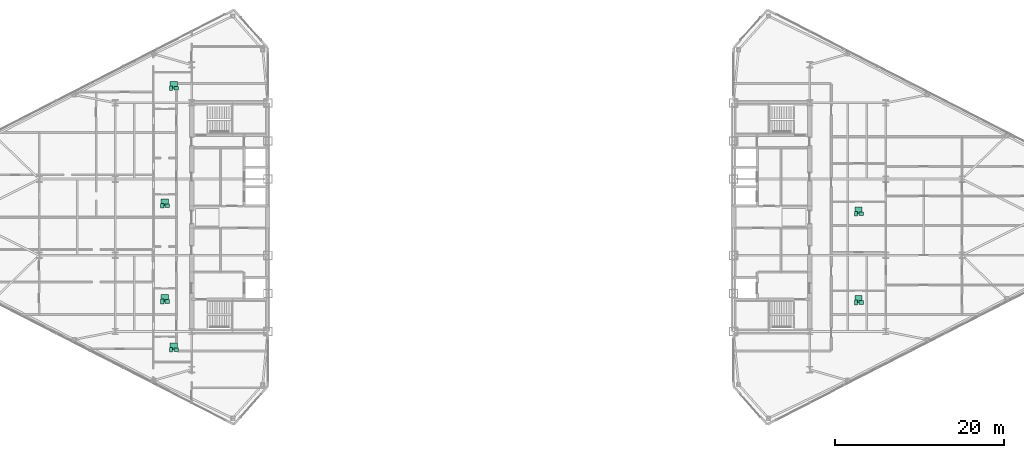
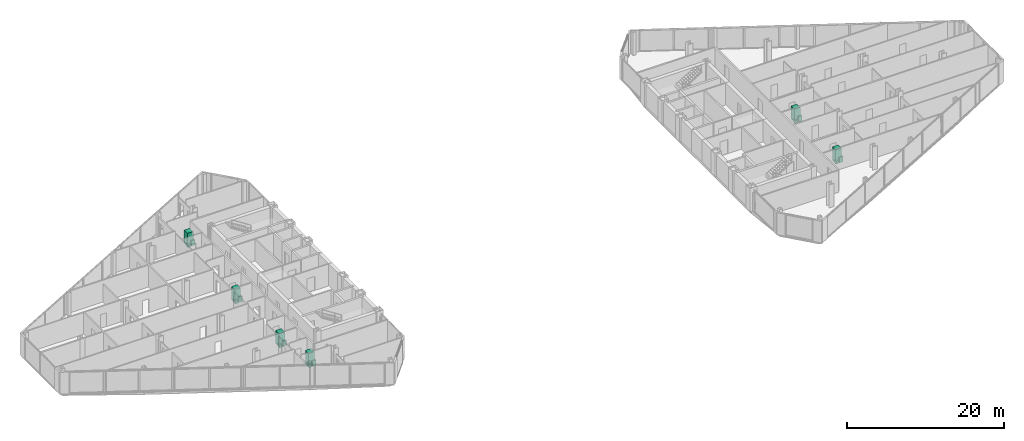
# One storey, part 23 of 23: 18 sanitary terminals.
"""IFC4 building model written with IfcOpenShell, lengths in metres."""

from ifc_helpers import new_model, si_unit, direction, frame, origin, origin_2d, place, context, subcontext, project, spatial, rectangle, extrude, source, transform, mapped, material, type_object, type_shapes, element, save


model = new_model("IFC4")

# Units and contexts
model_context = context("Model", 3, precision=1e-05, world=origin(), true_north=direction((0.0, 1.0)))
body_context = subcontext(model_context, "Body", "Model", "MODEL_VIEW")
ifc_project = project(units=[si_unit("LENGTHUNIT", "METRE"), si_unit("AREAUNIT", "SQUARE_METRE"), si_unit("VOLUMEUNIT", "CUBIC_METRE"), si_unit("PLANEANGLEUNIT", "RADIAN"), si_unit("MASSUNIT", "GRAM", prefix="KILO")], contexts=[model_context])

# Site, building, storey
site_placement = place(None, origin())
site = spatial("IfcSite", under=ifc_project, at=site_placement, CompositionType="ELEMENT")
building_placement = place(site_placement, origin())
building = spatial("IfcBuilding", under=site, at=building_placement, Name="Seokmaru Belvedere", CompositionType="ELEMENT")
storey_placement = place(building_placement, frame((0.0, 0.0, 144.0)))
storey = spatial("IfcBuildingStorey", under=building, at=storey_placement, Name="L38", CompositionType="ELEMENT", Elevation=144.0)

# Sanitary terminals
ifc_material_1 = material(Name="Vitreous China Sanitaryware")
sanitary_terminal_type_1 = type_object("IfcSanitaryTerminalType", Name="Wall-Hung Vitreous China WC Pan", PredefinedType="TOILETPAN", material=ifc_material_1)
shared_shape_1 = source(origin(), body_context, "Body", "SweptSolid", [
    extrude(rectangle(XDim=0.3798828125, YDim=0.56005859375, at=origin_2d()), origin(), (0.0, 0.0, 1.0), 0.419921875),
])
type_shapes(sanitary_terminal_type_1, [shared_shape_1])
for number, where, z_axis, x_axis, name in (
    (1, (-38.9169921875, -15.6669921875, 0.0), (0.0, 0.0, 1.0), (1.0, 0.0, 0.0), "L38 Vitreous China WC 0208"),
    (2, (-39.97509765625, -9.947998046875, 0.0), (0.0, 0.0, 1.0), (1.0, 0.0, 0.0), "L38 Vitreous China WC 0209"),
    (3, (-39.97509765625, 1.34912109375, 0.0), (0.0, 0.0, 1.0), (1.0, 0.0, 0.0), "L38 Vitreous China WC 0210"),
    (4, (-38.9169921875, 15.23193359375, 0.0), (0.0, 0.0, 1.0), (1.0, 0.0, 0.0), "L38 Vitreous China WC 0211"),
    (5, (41.97509765625, -10.083984375, 0.0), (0.0, 0.0, 1.0), (1.0, 0.0, 0.0), "L38 Vitreous China WC 0212"),
    (6, (41.97509765625, 0.416015625, 0.0), (0.0, 0.0, 1.0), (1.0, 0.0, 0.0), "L38 Vitreous China WC 0213"),
):
    element("IfcSanitaryTerminal", number, at=place(storey_placement, frame(where, z_axis=z_axis, x_axis=x_axis)), inside=storey, type_object=sanitary_terminal_type_1, Name=name, PredefinedType="TOILETPAN", context=body_context, shape_type="MappedRepresentation", body=[
        mapped(shared_shape_1, transform((0.0, 0.0, 0.0), scale=1.0)),
    ])
sanitary_terminal_type_2 = type_object("IfcSanitaryTerminalType", Name="Countertop Ceramic Washhand Basin", PredefinedType="WASHHANDBASIN", material=ifc_material_1)
shared_shape_2 = source(origin(), body_context, "Body", "SweptSolid", [
    extrude(rectangle(XDim=0.550048828125, YDim=0.449951171875, at=origin_2d()), origin(), (0.0, 0.0, 1.0), 0.820068359375),
])
type_shapes(sanitary_terminal_type_2, [shared_shape_2])
for number, where, z_axis, x_axis, name in (
    (7, (-38.31689453125, -15.6669921875, 0.0), (0.0, 0.0, 1.0), (1.0, 0.0, 0.0), "L38 Ceramic Washhand Basin 0208"),
    (8, (-39.375, -9.947998046875, 0.0), (0.0, 0.0, 1.0), (1.0, 0.0, 0.0), "L38 Ceramic Washhand Basin 0209"),
    (9, (-39.375, 1.34912109375, 0.0), (0.0, 0.0, 1.0), (1.0, 0.0, 0.0), "L38 Ceramic Washhand Basin 0210"),
    (10, (-38.31689453125, 15.23193359375, 0.0), (0.0, 0.0, 1.0), (1.0, 0.0, 0.0), "L38 Ceramic Washhand Basin 0211"),
    (11, (42.574951171875, -10.083984375, 0.0), (0.0, 0.0, 1.0), (1.0, 0.0, 0.0), "L38 Ceramic Washhand Basin 0212"),
    (12, (42.574951171875, 0.416015625, 0.0), (0.0, 0.0, 1.0), (1.0, 0.0, 0.0), "L38 Ceramic Washhand Basin 0213"),
):
    element("IfcSanitaryTerminal", number, at=place(storey_placement, frame(where, z_axis=z_axis, x_axis=x_axis)), inside=storey, type_object=sanitary_terminal_type_2, Name=name, PredefinedType="WASHHANDBASIN", context=body_context, shape_type="MappedRepresentation", body=[
        mapped(shared_shape_2, transform((0.0, 0.0, 0.0), scale=1.0)),
    ])
ifc_material_2 = material(Name="Stainless Steel 316", Category="steel")
sanitary_terminal_type_3 = type_object("IfcSanitaryTerminalType", Name="Walk-In Thermostatic Rain Shower Enclosure", PredefinedType="SHOWER", material=ifc_material_2)
shared_shape_3 = source(origin(), body_context, "Body", "SweptSolid", [
    extrude(rectangle(XDim=0.85009765625, YDim=0.85009765625, at=origin_2d()), origin(), (0.0, 0.0, 1.0), 2.050048828125),
])
type_shapes(sanitary_terminal_type_3, [shared_shape_3])
for number, where, z_axis, x_axis, name in (
    (13, (-38.616943359375, -15.287109375, 0.0), (0.0, 0.0, 1.0), (1.0, 0.0, 0.0), "L38 Walk-In Shower 0208"),
    (14, (-39.675048828125, -9.568115234375, 0.0), (0.0, 0.0, 1.0), (1.0, 0.0, 0.0), "L38 Walk-In Shower 0209"),
    (15, (-39.675048828125, 1.72900390625, 0.0), (0.0, 0.0, 1.0), (1.0, 0.0, 0.0), "L38 Walk-In Shower 0210"),
    (16, (-38.616943359375, 15.612060546875, 0.0), (0.0, 0.0, 1.0), (1.0, 0.0, 0.0), "L38 Walk-In Shower 0211"),
    (17, (42.27490234375, -9.7041015625, 0.0), (0.0, 0.0, 1.0), (1.0, 0.0, 0.0), "L38 Walk-In Shower 0212"),
    (18, (42.27490234375, 0.7958984375, 0.0), (0.0, 0.0, 1.0), (1.0, 0.0, 0.0), "L38 Walk-In Shower 0213"),
):
    element("IfcSanitaryTerminal", number, at=place(storey_placement, frame(where, z_axis=z_axis, x_axis=x_axis)), inside=storey, type_object=sanitary_terminal_type_3, Name=name, PredefinedType="SHOWER", context=body_context, shape_type="MappedRepresentation", body=[
        mapped(shared_shape_3, transform((0.0, 0.0, 0.0), scale=1.0)),
    ])

save(model, "model.ifc")
